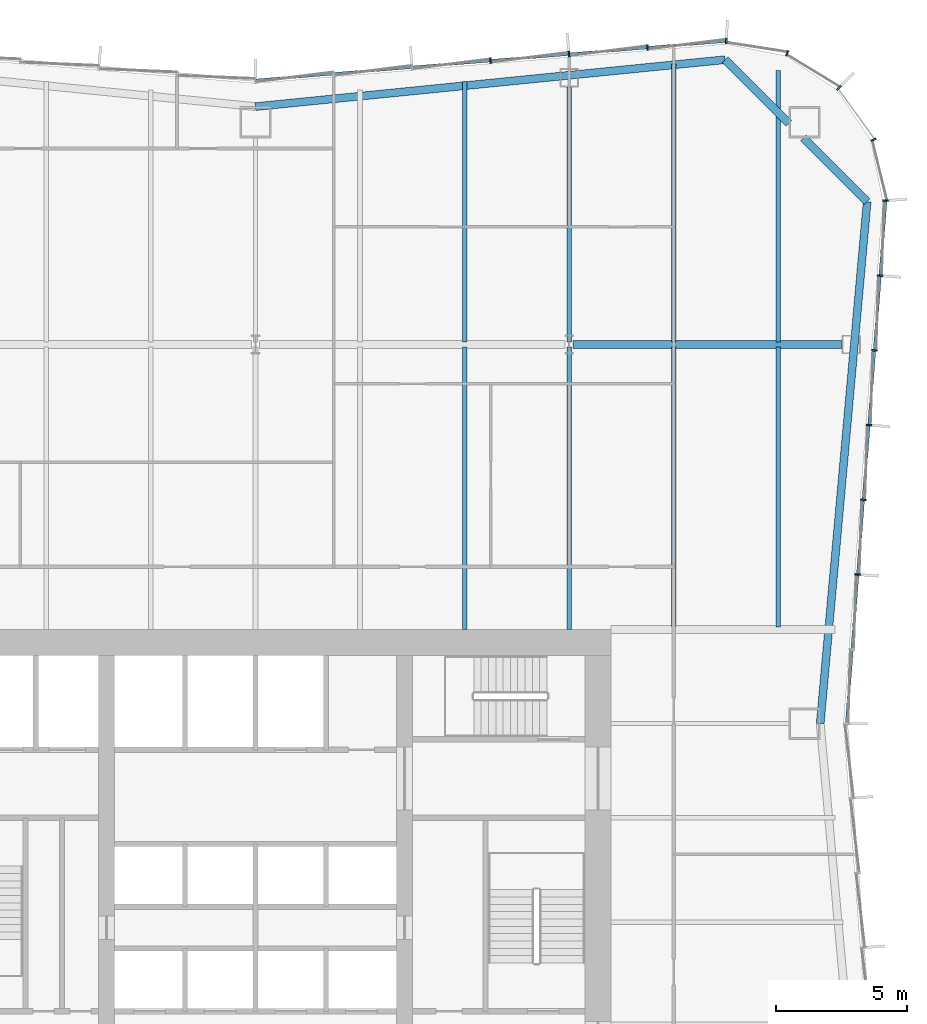
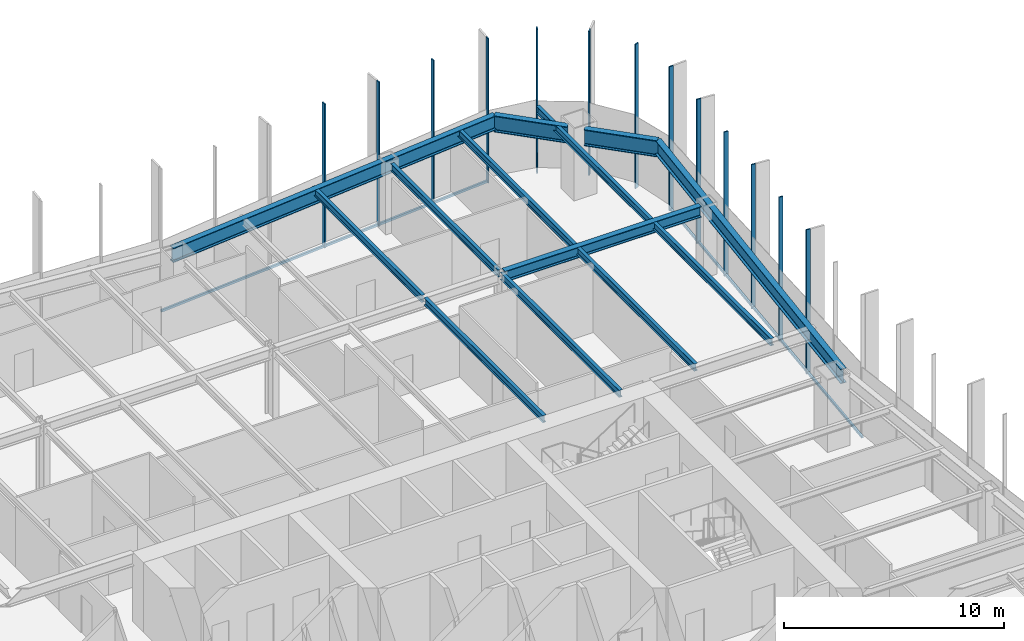
# One storey, part 7 of 14: 15 members, 13 beams, 3 elements without a shape of their own.
"""IFC4 building model written with IfcOpenShell, lengths in metres."""

from ifc_helpers import new_model, si_unit, direction, frame, origin, origin_2d, place, context, subcontext, project, spatial, rectangle, i_section, extrude, material, material_profile, profile_set, type_object, element, aggregate, save


model = new_model("IFC4")

# Units and contexts
model_context = context("Model", 3, precision=1e-05, world=origin(), true_north=direction((0.0, 1.0)))
body_context = subcontext(model_context, "Body", "Model", "MODEL_VIEW")
ifc_project = project(units=[si_unit("LENGTHUNIT", "METRE"), si_unit("AREAUNIT", "SQUARE_METRE"), si_unit("VOLUMEUNIT", "CUBIC_METRE"), si_unit("PLANEANGLEUNIT", "RADIAN"), si_unit("MASSUNIT", "GRAM", prefix="KILO")], contexts=[model_context])

# Site, building, storey
site_placement = place(None, origin())
site = spatial("IfcSite", under=ifc_project, at=site_placement, CompositionType="ELEMENT")
building_placement = place(site_placement, origin())
building = spatial("IfcBuilding", under=site, at=building_placement, Name="Verdant Reach Tower", CompositionType="ELEMENT")
storey_placement = place(building_placement, frame((0.0, 0.0, 162.0)))
storey = spatial("IfcBuildingStorey", under=building, at=storey_placement, Name="L37", CompositionType="ELEMENT", Elevation=162.0)

# Curtain wall, members
ifc_material_1 = material(Name="Anodised aluminium", Category="aluminium")
curtain_wall_type = type_object("IfcCurtainWallType", Name="EN-CW SYSTEM Z2", PredefinedType="NOTDEFINED", material=ifc_material_1)
curtain_wall_1_placement = place(storey_placement, origin())
curtain_wall_1 = element("IfcCurtainWall", 1, at=curtain_wall_1_placement, inside=storey, type_object=curtain_wall_type, Name="Curtain wall east, L37", PredefinedType="NOTDEFINED")
ifc_material_profile_1 = material_profile(ifc_material_1, rectangle(XDim=0.2119140625, YDim=0.06396484375, at=origin_2d()), Name="Mullion 64x212")
ifc_profile_set_1 = profile_set([ifc_material_profile_1], Name="Anodised aluminium")
member_type_1 = type_object("IfcMemberType", Name="EN-MULLION Z2", PredefinedType="MULLION", material=ifc_profile_set_1)
member_1_placement = place(storey_placement, frame((23.0341796875, 40.706298828125, -0.35009765625), z_axis=(0.0, 0.0, 1.0), x_axis=(0.997199309888, -0.074789948245, 0.0)))
member_1 = element("IfcMember", 2, at=member_1_placement, type_object=member_type_1, Name="Mullion east face part 2 3, L37", PredefinedType="MULLION", context=body_context, shape_type="SweptSolid", body=[
    extrude(rectangle(XDim=0.2119140625, YDim=0.06396484375, at=origin_2d()), origin(), (0.0, 0.0, 1.0), 8.0),
])
member_2_placement = place(storey_placement, frame((23.24853515625, 43.5634765625, -0.35009765625), z_axis=(0.0, 0.0, 1.0), x_axis=(0.997199309888, -0.074789948245, 0.0)))
member_2 = element("IfcMember", 3, at=member_2_placement, type_object=member_type_1, Name="Mullion east face part 2 4, L37", PredefinedType="MULLION", context=body_context, shape_type="SweptSolid", body=[
    extrude(rectangle(XDim=0.2119140625, YDim=0.06396484375, at=origin_2d()), origin(), (0.0, 0.0, 1.0), 8.0),
])
member_3_placement = place(storey_placement, frame((23.462890625, 46.420654296875, -0.35009765625), z_axis=(0.0, 0.0, 1.0), x_axis=(0.997199309888, -0.074789948245, 0.0)))
member_3 = element("IfcMember", 4, at=member_3_placement, type_object=member_type_1, Name="Mullion east face part 2 5, L37", PredefinedType="MULLION", context=body_context, shape_type="SweptSolid", body=[
    extrude(rectangle(XDim=0.2119140625, YDim=0.06396484375, at=origin_2d()), origin(), (0.0, 0.0, 1.0), 8.0),
])
member_4_placement = place(storey_placement, frame((23.67724609375, 49.27783203125, -0.35009765625), z_axis=(0.0, 0.0, 1.0), x_axis=(0.997199309888, -0.074789948245, 0.0)))
member_4 = element("IfcMember", 5, at=member_4_placement, type_object=member_type_1, Name="Mullion east face part 2 6, L37", PredefinedType="MULLION", context=body_context, shape_type="SweptSolid", body=[
    extrude(rectangle(XDim=0.2119140625, YDim=0.06396484375, at=origin_2d()), origin(), (0.0, 0.0, 1.0), 8.0),
])
member_5_placement = place(storey_placement, frame((23.891357421875, 52.135009765625, -0.35009765625), z_axis=(0.0, 0.0, 1.0), x_axis=(0.997199309888, -0.074789948245, 0.0)))
member_5 = element("IfcMember", 6, at=member_5_placement, type_object=member_type_1, Name="Mullion east face part 2 7, L37", PredefinedType="MULLION", context=body_context, shape_type="SweptSolid", body=[
    extrude(rectangle(XDim=0.2119140625, YDim=0.06396484375, at=origin_2d()), origin(), (0.0, 0.0, 1.0), 8.0),
])

curtain_wall_2_placement = place(storey_placement, origin())
curtain_wall_2 = element("IfcCurtainWall", 7, at=curtain_wall_2_placement, inside=storey, type_object=curtain_wall_type, Name="Curtain wall north-east corner, L37", PredefinedType="NOTDEFINED")
member_6_placement = place(storey_placement, frame((24.105712890625, 55.00634765625, -0.35009765625), z_axis=(0.0, 0.0, 1.0), x_axis=(0.998155887542, 0.060702752526, 0.0)))
member_6 = element("IfcMember", 8, at=member_6_placement, type_object=member_type_1, Name="Mullion north-east corner 1, L37", PredefinedType="MULLION", context=body_context, shape_type="SweptSolid", body=[
    extrude(rectangle(XDim=0.2119140625, YDim=0.06396484375, at=origin_2d()), origin(), (0.0, 0.0, 1.0), 8.0),
])
member_7_placement = place(storey_placement, frame((23.64111328125, 57.336669921875, -0.35009765625), z_axis=(0.0, 0.0, 1.0), x_axis=(0.923875215753, 0.382693853776, 0.0)))
member_7 = element("IfcMember", 9, at=member_7_placement, type_object=member_type_1, Name="Mullion north-east corner 2, L37", PredefinedType="MULLION", context=body_context, shape_type="SweptSolid", body=[
    extrude(rectangle(XDim=0.2119140625, YDim=0.06396484375, at=origin_2d()), origin(), (0.0, 0.0, 1.0), 8.0),
])
member_8_placement = place(storey_placement, frame((22.317626953125, 59.317626953125, -0.35009765625), z_axis=(0.0, 0.0, 1.0), x_axis=(0.707106781187, 0.707106781187, 0.0)))
member_8 = element("IfcMember", 10, at=member_8_placement, type_object=member_type_1, Name="Mullion north-east corner 3, L37", PredefinedType="MULLION", context=body_context, shape_type="SweptSolid", body=[
    extrude(rectangle(XDim=0.2119140625, YDim=0.06396484375, at=origin_2d()), origin(), (0.0, 0.0, 1.0), 8.0),
])
member_9_placement = place(storey_placement, frame((20.336669921875, 60.64111328125, -0.35009765625), z_axis=(0.0, 0.0, 1.0), x_axis=(0.382693853776, 0.923875215753, 0.0)))
member_9 = element("IfcMember", 11, at=member_9_placement, type_object=member_type_1, Name="Mullion north-east corner 4, L37", PredefinedType="MULLION", context=body_context, shape_type="SweptSolid", body=[
    extrude(rectangle(XDim=0.2119140625, YDim=0.06396484375, at=origin_2d()), origin(), (0.0, 0.0, 1.0), 8.0),
])
aggregate(curtain_wall_2, [member_6, member_7, member_8, member_9])

curtain_wall_3_placement = place(storey_placement, origin())
curtain_wall_3 = element("IfcCurtainWall", 12, at=curtain_wall_3_placement, inside=storey, type_object=curtain_wall_type, Name="Curtain wall north, L37", PredefinedType="NOTDEFINED")
member_10_placement = place(storey_placement, frame((18.006103515625, 61.105712890625, -0.35009765625), z_axis=(0.0, 0.0, 1.0), x_axis=(0.056569187765, 0.998398681387, 0.0)))
member_10 = element("IfcMember", 13, at=member_10_placement, type_object=member_type_1, Name="Mullion north face part 1 1, L37", PredefinedType="MULLION", context=body_context, shape_type="SweptSolid", body=[
    extrude(rectangle(XDim=0.2119140625, YDim=0.06396484375, at=origin_2d()), origin(), (0.0, 0.0, 1.0), 8.0),
])
member_11_placement = place(storey_placement, frame((14.9912109375, 60.855712890625, -0.35009765625), z_axis=(0.0, 0.0, 1.0), x_axis=(-0.083045479859, 0.996545758244, 0.0)))
member_11 = element("IfcMember", 14, at=member_11_placement, type_object=member_type_1, Name="Mullion north face part 1 2, L37", PredefinedType="MULLION", context=body_context, shape_type="SweptSolid", body=[
    extrude(rectangle(XDim=0.2119140625, YDim=0.06396484375, at=origin_2d()), origin(), (0.0, 0.0, 1.0), 8.0),
])
member_12_placement = place(storey_placement, frame((11.9912109375, 60.605712890625, -0.35009765625), z_axis=(0.0, 0.0, 1.0), x_axis=(-0.083045479859, 0.996545758244, 0.0)))
member_12 = element("IfcMember", 15, at=member_12_placement, type_object=member_type_1, Name="Mullion north face part 1 3, L37", PredefinedType="MULLION", context=body_context, shape_type="SweptSolid", body=[
    extrude(rectangle(XDim=0.2119140625, YDim=0.06396484375, at=origin_2d()), origin(), (0.0, 0.0, 1.0), 8.0),
])
member_13_placement = place(storey_placement, frame((8.9912109375, 60.355712890625, -0.35009765625), z_axis=(0.0, 0.0, 1.0), x_axis=(-0.083045479859, 0.996545758244, 0.0)))
member_13 = element("IfcMember", 16, at=member_13_placement, type_object=member_type_1, Name="Mullion north face part 1 4, L37", PredefinedType="MULLION", context=body_context, shape_type="SweptSolid", body=[
    extrude(rectangle(XDim=0.2119140625, YDim=0.06396484375, at=origin_2d()), origin(), (0.0, 0.0, 1.0), 8.0),
])

# Member
ifc_material_profile_2 = material_profile(ifc_material_1, rectangle(XDim=0.10009765625, YDim=0.1240234375, at=origin_2d()), Name="Transom 124x100")
ifc_profile_set_2 = profile_set([ifc_material_profile_2], Name="Anodised aluminium")
member_type_2 = type_object("IfcMemberType", Name="EN-TRANSOM Z2", PredefinedType="USERDEFINED", material=ifc_profile_set_2)
member_14_placement = place(storey_placement, frame((22.6083984375, 35.031982421875, -0.2880859375), z_axis=(0.07476111665, 0.997201471839, 0.0), x_axis=(-0.997201471839, 0.07476111665, 0.0)))
member_14 = element("IfcMember", 17, at=member_14_placement, type_object=member_type_2, Name="Transom east face part 2 1.1, L37", ObjectType="TRANSOM", PredefinedType="USERDEFINED", context=body_context, shape_type="SweptSolid", body=[
    extrude(rectangle(XDim=0.10009765625, YDim=0.1240234375, at=origin_2d()), origin(), (0.0, 0.0, 1.0), 19.99853515625),
])

aggregate(curtain_wall_1, [member_1, member_2, member_3, member_4, member_5, member_14])

member_15_placement = place(storey_placement, frame((17.97412109375, 61.103271484375, -0.2880859375), z_axis=(-0.996548282776, -0.083015179915, 0.0), x_axis=(0.083015179915, -0.996548282776, 0.0)))
member_15 = element("IfcMember", 18, at=member_15_placement, type_object=member_type_2, Name="Transom north face part 1 1.1, L37", ObjectType="TRANSOM", PredefinedType="USERDEFINED", context=body_context, shape_type="SweptSolid", body=[
    extrude(rectangle(XDim=0.10009765625, YDim=0.1240234375, at=origin_2d()), origin(), (0.0, 0.0, 1.0), 18.00439453125),
])

aggregate(curtain_wall_3, [member_10, member_11, member_12, member_13, member_15])

# Beams
ifc_material_2 = material(Name="Steel S355", Category="steel")
ifc_material_profile_3 = material_profile(ifc_material_2, i_section(OverallWidth=0.300048828125, OverallDepth=0.60009765625, WebThickness=0.015380859375, FlangeThickness=0.030029296875, FilletRadius=0.027099609375, at=origin_2d()), Name="HEB 600")
ifc_profile_set_3 = profile_set([ifc_material_profile_3], Name="Steel S355")
beam_type_1 = type_object("IfcBeamType", Name="ST-BEAM-HEB600", PredefinedType="BEAM", material=ifc_profile_set_3)
beam_1_placement = place(storey_placement, frame((12.154052734375, 49.5, 3.570068359375), z_axis=(1.0, 0.0, 0.0), x_axis=(0.0, 1.0, 0.0)))
element("IfcBeam", 19, at=beam_1_placement, inside=storey, type_object=beam_type_1, Name="Row girder, L37", PredefinedType="BEAM", context=body_context, shape_type="SweptSolid", body=[
    extrude(i_section(OverallWidth=0.300048828125, OverallDepth=0.60009765625, WebThickness=0.015380859375, FlangeThickness=0.030029296875, FilletRadius=0.027099609375, at=origin_2d()), origin(), (0.0, 0.0, 1.0), 10.283447265625),
])
ifc_material_profile_4 = material_profile(ifc_material_2, i_section(OverallWidth=0.179931640625, OverallDepth=0.39990234375, WebThickness=0.008544921875, FlangeThickness=0.013427734375, FilletRadius=0.02099609375, at=origin_2d()), Name="IPE 400")
ifc_profile_set_4 = profile_set([ifc_material_profile_4], Name="Steel S355")
beam_type_2 = type_object("IfcBeamType", Name="ST-JOIST-IPE400", PredefinedType="JOIST", material=ifc_profile_set_4)
beam_2_placement = place(storey_placement, frame((8.0, 38.60009765625, 3.669921875), z_axis=(0.0, 1.0, 0.0), x_axis=(-1.0, 0.0, 0.0)))
element("IfcBeam", 20, at=beam_2_placement, inside=storey, type_object=beam_type_2, Name="Floor joist, L37", PredefinedType="JOIST", context=body_context, shape_type="SweptSolid", body=[
    extrude(i_section(OverallWidth=0.179931640625, OverallDepth=0.39990234375, WebThickness=0.008544921875, FlangeThickness=0.013427734375, FilletRadius=0.02099609375, at=origin_2d()), origin(), (0.0, 0.0, 1.0), 10.7998046875),
])
beam_3_placement = place(storey_placement, frame((8.0, 49.60009765625, 3.669921875), z_axis=(0.0, 1.0, 0.0), x_axis=(-1.0, 0.0, 0.0)))
element("IfcBeam", 21, at=beam_3_placement, inside=storey, type_object=beam_type_2, Name="Floor joist, L37", PredefinedType="JOIST", context=body_context, shape_type="SweptSolid", body=[
    extrude(i_section(OverallWidth=0.179931640625, OverallDepth=0.39990234375, WebThickness=0.008544921875, FlangeThickness=0.013427734375, FilletRadius=0.02099609375, at=origin_2d()), origin(), (0.0, 0.0, 1.0), 9.964599609375),
])
beam_4_placement = place(storey_placement, frame((12.0, 38.60009765625, 3.669921875), z_axis=(0.0, 1.0, 0.0), x_axis=(-1.0, 0.0, 0.0)))
element("IfcBeam", 22, at=beam_4_placement, inside=storey, type_object=beam_type_2, Name="Floor joist, L37", PredefinedType="JOIST", context=body_context, shape_type="SweptSolid", body=[
    extrude(i_section(OverallWidth=0.179931640625, OverallDepth=0.39990234375, WebThickness=0.008544921875, FlangeThickness=0.013427734375, FilletRadius=0.02099609375, at=origin_2d()), origin(), (0.0, 0.0, 1.0), 10.7998046875),
])
beam_5_placement = place(storey_placement, frame((12.0, 49.60009765625, 3.669921875), z_axis=(0.0, 1.0, 0.0), x_axis=(-1.0, 0.0, 0.0)))
element("IfcBeam", 23, at=beam_5_placement, inside=storey, type_object=beam_type_2, Name="Floor joist, L37", PredefinedType="JOIST", context=body_context, shape_type="SweptSolid", body=[
    extrude(i_section(OverallWidth=0.179931640625, OverallDepth=0.39990234375, WebThickness=0.008544921875, FlangeThickness=0.013427734375, FilletRadius=0.02099609375, at=origin_2d()), origin(), (0.0, 0.0, 1.0), 9.75),
])
beam_6_placement = place(storey_placement, frame((16.0, 38.699951171875, 3.669921875), z_axis=(0.0, 1.0, 0.0), x_axis=(-1.0, 0.0, 0.0)))
element("IfcBeam", 24, at=beam_6_placement, inside=storey, type_object=beam_type_2, Name="Floor joist, L37", PredefinedType="JOIST", context=body_context, shape_type="SweptSolid", body=[
    extrude(i_section(OverallWidth=0.179931640625, OverallDepth=0.39990234375, WebThickness=0.008544921875, FlangeThickness=0.013427734375, FilletRadius=0.02099609375, at=origin_2d()), origin(), (0.0, 0.0, 1.0), 10.699951171875),
])
beam_7_placement = place(storey_placement, frame((16.0, 49.60009765625, 3.669921875), z_axis=(0.0, 1.0, 0.0), x_axis=(-1.0, 0.0, 0.0)))
element("IfcBeam", 25, at=beam_7_placement, inside=storey, type_object=beam_type_2, Name="Floor joist, L37", PredefinedType="JOIST", context=body_context, shape_type="SweptSolid", body=[
    extrude(i_section(OverallWidth=0.179931640625, OverallDepth=0.39990234375, WebThickness=0.008544921875, FlangeThickness=0.013427734375, FilletRadius=0.02099609375, at=origin_2d()), origin(), (0.0, 0.0, 1.0), 10.631103515625),
])
beam_8_placement = place(storey_placement, frame((20.0, 38.699951171875, 3.669921875), z_axis=(0.0, 1.0, 0.0), x_axis=(-1.0, 0.0, 0.0)))
element("IfcBeam", 26, at=beam_8_placement, inside=storey, type_object=beam_type_2, Name="Floor joist, L37", PredefinedType="JOIST", context=body_context, shape_type="SweptSolid", body=[
    extrude(i_section(OverallWidth=0.179931640625, OverallDepth=0.39990234375, WebThickness=0.008544921875, FlangeThickness=0.013427734375, FilletRadius=0.02099609375, at=origin_2d()), origin(), (0.0, 0.0, 1.0), 10.699951171875),
])
beam_9_placement = place(storey_placement, frame((20.0, 49.60009765625, 3.669921875), z_axis=(0.0, 1.0, 0.0), x_axis=(-1.0, 0.0, 0.0)))
element("IfcBeam", 27, at=beam_9_placement, inside=storey, type_object=beam_type_2, Name="Floor joist, L37", PredefinedType="JOIST", context=body_context, shape_type="SweptSolid", body=[
    extrude(i_section(OverallWidth=0.179931640625, OverallDepth=0.39990234375, WebThickness=0.008544921875, FlangeThickness=0.013427734375, FilletRadius=0.02099609375, at=origin_2d()), origin(), (0.0, 0.0, 1.0), 10.390380859375),
])
ifc_material_profile_5 = material_profile(ifc_material_2, i_section(OverallWidth=0.300048828125, OverallDepth=0.800048828125, WebThickness=0.017578125, FlangeThickness=0.032958984375, FilletRadius=0.030029296875, at=origin_2d()), Name="HEB 800")
ifc_profile_set_5 = profile_set([ifc_material_profile_5], Name="Steel S355")
beam_type_3 = type_object("IfcBeamType", Name="ST-SPANDREL-HEB800", PredefinedType="SPANDREL", material=ifc_profile_set_5)
beam_10_placement = place(storey_placement, frame((0.0, 58.60009765625, 3.469970703125), z_axis=(0.995046289869, 0.099412680371, 0.0), x_axis=(-0.099412680371, 0.995046289869, 0.0)))
element("IfcBeam", 28, at=beam_10_placement, inside=storey, type_object=beam_type_3, Name="Edge beam, L37", PredefinedType="SPANDREL", context=body_context, shape_type="SweptSolid", body=[
    extrude(i_section(OverallWidth=0.300048828125, OverallDepth=0.800048828125, WebThickness=0.017578125, FlangeThickness=0.032958984375, FilletRadius=0.030029296875, at=origin_2d()), origin(), (0.0, 0.0, 1.0), 18.05517578125),
])
beam_11_placement = place(storey_placement, frame((23.3955078125, 54.963134765625, 3.469970703125), z_axis=(-0.089574749266, -0.995980102358, 0.0), x_axis=(0.995980102358, -0.089574749266, 0.0)))
element("IfcBeam", 29, at=beam_11_placement, inside=storey, type_object=beam_type_3, Name="Edge beam, L37", PredefinedType="SPANDREL", context=body_context, shape_type="SweptSolid", body=[
    extrude(i_section(OverallWidth=0.300048828125, OverallDepth=0.800048828125, WebThickness=0.017578125, FlangeThickness=0.032958984375, FilletRadius=0.030029296875, at=origin_2d()), origin(), (0.0, 0.0, 1.0), 20.043701171875),
])
ifc_material_profile_6 = material_profile(ifc_material_2, i_section(OverallWidth=0.302001953125, OverallDepth=0.909912109375, WebThickness=0.02099609375, FlangeThickness=0.0400390625, FilletRadius=0.030029296875, at=origin_2d()), Name="HEM 900")
ifc_profile_set_6 = profile_set([ifc_material_profile_6], Name="Steel S355")
beam_type_4 = type_object("IfcBeamType", Name="ST-SPANDREL-HEM900", PredefinedType="SPANDREL", material=ifc_profile_set_6)
beam_12_placement = place(storey_placement, frame((17.9658203125, 60.39501953125, 3.4150390625), z_axis=(0.70696494852, -0.70724858541, 0.0), x_axis=(0.70724858541, 0.70696494852, 0.0)))
element("IfcBeam", 30, at=beam_12_placement, inside=storey, type_object=beam_type_4, Name="Edge beam, L37", PredefinedType="SPANDREL", context=body_context, shape_type="SweptSolid", body=[
    extrude(i_section(OverallWidth=0.302001953125, OverallDepth=0.909912109375, WebThickness=0.02099609375, FlangeThickness=0.0400390625, FilletRadius=0.030029296875, at=origin_2d()), origin(), (0.0, 0.0, 1.0), 3.443115234375),
])
beam_13_placement = place(storey_placement, frame((20.959716796875, 57.39990234375, 3.4150390625), z_axis=(0.706965048022, -0.707248485948, 0.0), x_axis=(0.707248485948, 0.706965048022, 0.0)))
element("IfcBeam", 31, at=beam_13_placement, inside=storey, type_object=beam_type_4, Name="Edge beam, L37", PredefinedType="SPANDREL", context=body_context, shape_type="SweptSolid", body=[
    extrude(i_section(OverallWidth=0.302001953125, OverallDepth=0.909912109375, WebThickness=0.02099609375, FlangeThickness=0.0400390625, FilletRadius=0.030029296875, at=origin_2d()), origin(), (0.0, 0.0, 1.0), 3.4453125),
])

save(model, "model.ifc")
